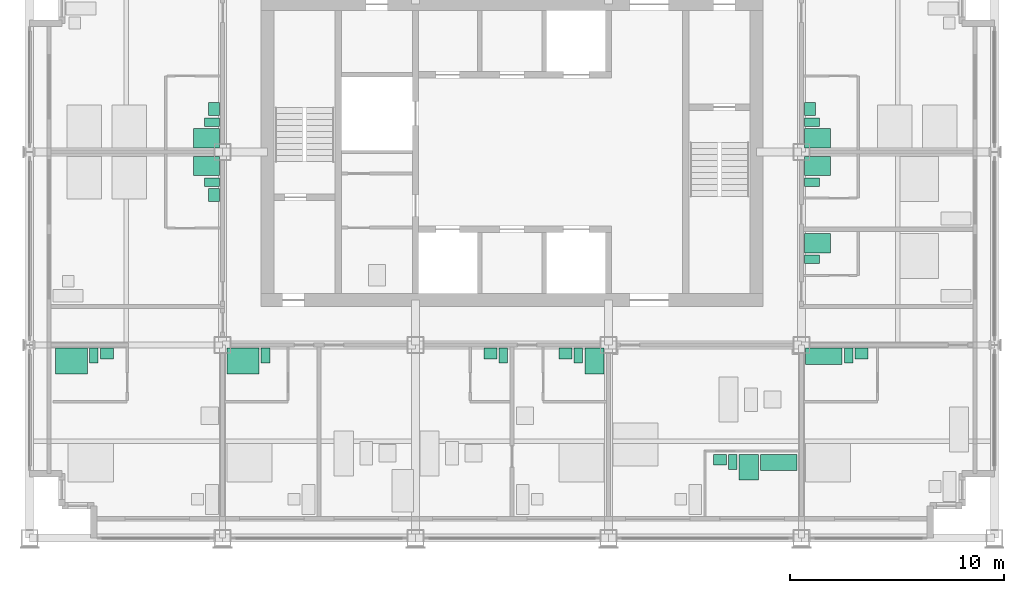
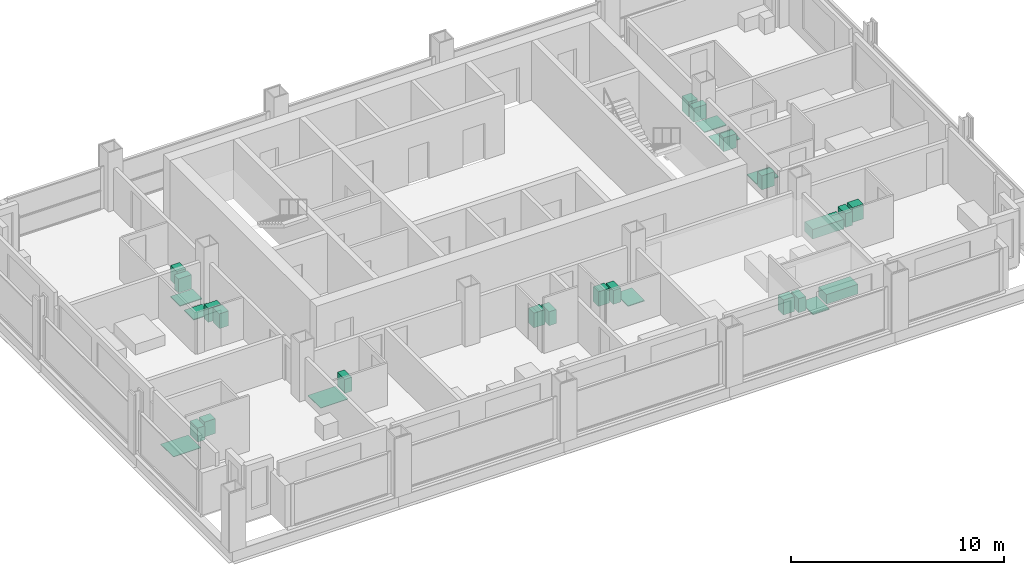
# One storey, part 12 of 13: 30 sanitary terminals.
"""IFC4 building model written with IfcOpenShell, lengths in metres."""

from ifc_helpers import new_model, si_unit, direction, frame, origin, origin_2d, place, context, subcontext, project, spatial, rectangle, extrude, element, save


model = new_model("IFC4")

# Units and contexts
model_context = context("Model", 3, precision=1e-05, world=origin(), true_north=direction((0.0, 1.0)))
body_context = subcontext(model_context, "Body", "Model", "MODEL_VIEW")
ifc_project = project(units=[si_unit("LENGTHUNIT", "METRE"), si_unit("AREAUNIT", "SQUARE_METRE"), si_unit("VOLUMEUNIT", "CUBIC_METRE"), si_unit("PLANEANGLEUNIT", "RADIAN"), si_unit("MASSUNIT", "GRAM", prefix="KILO")], contexts=[model_context])

# Site, building, storey
site_placement = place(None, origin())
site = spatial("IfcSite", under=ifc_project, at=site_placement, CompositionType="ELEMENT")
building_placement = place(site_placement, origin())
building = spatial("IfcBuilding", under=site, at=building_placement, Name="Loomwork Tower", CompositionType="ELEMENT")
storey_placement = place(building_placement, frame((0.0, 0.0, 197.800048828125)))
storey = spatial("IfcBuildingStorey", under=building, at=storey_placement, Name="L54", CompositionType="ELEMENT", Elevation=197.800048828125)

# Sanitary terminals
sanitary_terminal_1_placement = place(storey_placement, frame((1.949951171875, 8.25, 0.0), z_axis=(0.0, 0.0, 1.0), x_axis=(1.0, 0.0, 0.0)))
element("IfcSanitaryTerminal", 1, at=sanitary_terminal_1_placement, inside=storey, Name="Roll-in shower floor L54", PredefinedType="SHOWER", context=body_context, shape_type="SweptSolid", body=[
    extrude(rectangle(XDim=1.5, YDim=1.199951171875, at=origin_2d()), origin(), (0.0, 0.0, 1.0), 0.030029296875),
])
sanitary_terminal_2_placement = place(storey_placement, frame((3.0, 8.5, 0.0), z_axis=(0.0, 0.0, 1.0), x_axis=(1.0, 0.0, 0.0)))
element("IfcSanitaryTerminal", 2, at=sanitary_terminal_2_placement, inside=storey, Name="WC L54", PredefinedType="TOILETPAN", context=body_context, shape_type="SweptSolid", body=[
    extrude(rectangle(XDim=0.39990234375, YDim=0.699951171875, at=origin_2d()), origin(), (0.0, 0.0, 1.0), 0.800048828125),
])
sanitary_terminal_3_placement = place(storey_placement, frame((3.60009765625, 8.60009765625, 0.0), z_axis=(0.0, 0.0, 1.0), x_axis=(1.0, 0.0, 0.0)))
element("IfcSanitaryTerminal", 3, at=sanitary_terminal_3_placement, inside=storey, Name="Basin vanity L54", PredefinedType="WASHHANDBASIN", context=body_context, shape_type="SweptSolid", body=[
    extrude(rectangle(XDim=0.60009765625, YDim=0.5, at=origin_2d()), origin(), (0.0, 0.0, 1.0), 0.85009765625),
])
sanitary_terminal_4_placement = place(storey_placement, frame((9.949951171875, 8.25, 0.0), z_axis=(0.0, 0.0, 1.0), x_axis=(1.0, 0.0, 0.0)))
element("IfcSanitaryTerminal", 4, at=sanitary_terminal_4_placement, inside=storey, Name="Roll-in shower floor L54", PredefinedType="SHOWER", context=body_context, shape_type="SweptSolid", body=[
    extrude(rectangle(XDim=1.5, YDim=1.199951171875, at=origin_2d()), origin(), (0.0, 0.0, 1.0), 0.030029296875),
])
for number, where, z_axis, x_axis, name in (
    (5, (11.0, 8.5, 0.0), (0.0, 0.0, 1.0), (1.0, 0.0, 0.0), "WC L54"),
    (6, (22.10009765625, 8.5, 0.0), (0.0, 0.0, 1.0), (1.0, 0.0, 0.0), "WC L54"),
):
    element("IfcSanitaryTerminal", number, at=place(storey_placement, frame(where, z_axis=z_axis, x_axis=x_axis)), inside=storey, Name=name, PredefinedType="TOILETPAN", context=body_context, shape_type="SweptSolid", body=[
        extrude(rectangle(XDim=0.39990234375, YDim=0.699951171875, at=origin_2d()), origin(), (0.0, 0.0, 1.0), 0.800048828125),
    ])
sanitary_terminal_5_placement = place(storey_placement, frame((21.5, 8.60009765625, 0.0), z_axis=(0.0, 0.0, 1.0), x_axis=(1.0, 0.0, 0.0)))
element("IfcSanitaryTerminal", 7, at=sanitary_terminal_5_placement, inside=storey, Name="Basin vanity L54", PredefinedType="WASHHANDBASIN", context=body_context, shape_type="SweptSolid", body=[
    extrude(rectangle(XDim=0.60009765625, YDim=0.5, at=origin_2d()), origin(), (0.0, 0.0, 1.0), 0.85009765625),
])
sanitary_terminal_6_placement = place(storey_placement, frame((26.35009765625, 8.25, 0.0), z_axis=(0.0, 0.0, 1.0), x_axis=(1.0, 0.0, 0.0)))
element("IfcSanitaryTerminal", 8, at=sanitary_terminal_6_placement, inside=storey, Name="Shower tray L54", PredefinedType="SHOWER", context=body_context, shape_type="SweptSolid", body=[
    extrude(rectangle(XDim=0.89990234375, YDim=1.199951171875, at=origin_2d()), origin(), (0.0, 0.0, 1.0), 0.050048828125),
])
sanitary_terminal_7_placement = place(storey_placement, frame((25.60009765625, 8.5, 0.0), z_axis=(0.0, 0.0, 1.0), x_axis=(1.0, 0.0, 0.0)))
element("IfcSanitaryTerminal", 9, at=sanitary_terminal_7_placement, inside=storey, Name="WC L54", PredefinedType="TOILETPAN", context=body_context, shape_type="SweptSolid", body=[
    extrude(rectangle(XDim=0.39990234375, YDim=0.699951171875, at=origin_2d()), origin(), (0.0, 0.0, 1.0), 0.800048828125),
])
sanitary_terminal_8_placement = place(storey_placement, frame((25.0, 8.60009765625, 0.0), z_axis=(0.0, 0.0, 1.0), x_axis=(1.0, 0.0, 0.0)))
element("IfcSanitaryTerminal", 10, at=sanitary_terminal_8_placement, inside=storey, Name="Basin vanity L54", PredefinedType="WASHHANDBASIN", context=body_context, shape_type="SweptSolid", body=[
    extrude(rectangle(XDim=0.60009765625, YDim=0.5, at=origin_2d()), origin(), (0.0, 0.0, 1.0), 0.85009765625),
])
sanitary_terminal_9_placement = place(storey_placement, frame((34.949951171875, 3.52490234375, 0.0), z_axis=(0.0, 0.0, 1.0), x_axis=(1.0, 0.0, 0.0)))
element("IfcSanitaryTerminal", 11, at=sanitary_terminal_9_placement, inside=storey, Name="Bath L54", PredefinedType="BATH", context=body_context, shape_type="SweptSolid", body=[
    extrude(rectangle(XDim=1.699951171875, YDim=0.75, at=origin_2d()), origin(), (0.0, 0.0, 1.0), 0.550048828125),
])
sanitary_terminal_10_placement = place(storey_placement, frame((33.550048828125, 3.300048828125, 0.0), z_axis=(0.0, 0.0, 1.0), x_axis=(1.0, 0.0, 0.0)))
element("IfcSanitaryTerminal", 12, at=sanitary_terminal_10_placement, inside=storey, Name="Shower tray L54", PredefinedType="SHOWER", context=body_context, shape_type="SweptSolid", body=[
    extrude(rectangle(XDim=0.89990234375, YDim=1.199951171875, at=origin_2d()), origin(), (0.0, 0.0, 1.0), 0.050048828125),
])
sanitary_terminal_11_placement = place(storey_placement, frame((32.800048828125, 3.550048828125, 0.0), z_axis=(0.0, 0.0, 1.0), x_axis=(1.0, 0.0, 0.0)))
element("IfcSanitaryTerminal", 13, at=sanitary_terminal_11_placement, inside=storey, Name="WC L54", PredefinedType="TOILETPAN", context=body_context, shape_type="SweptSolid", body=[
    extrude(rectangle(XDim=0.39990234375, YDim=0.699951171875, at=origin_2d()), origin(), (0.0, 0.0, 1.0), 0.800048828125),
])
sanitary_terminal_12_placement = place(storey_placement, frame((32.199951171875, 3.64990234375, 0.0), z_axis=(0.0, 0.0, 1.0), x_axis=(1.0, 0.0, 0.0)))
element("IfcSanitaryTerminal", 14, at=sanitary_terminal_12_placement, inside=storey, Name="Basin vanity L54", PredefinedType="WASHHANDBASIN", context=body_context, shape_type="SweptSolid", body=[
    extrude(rectangle(XDim=0.60009765625, YDim=0.5, at=origin_2d()), origin(), (0.0, 0.0, 1.0), 0.85009765625),
])
sanitary_terminal_13_placement = place(storey_placement, frame((37.050048828125, 8.47509765625, 0.0), z_axis=(0.0, 0.0, 1.0), x_axis=(1.0, 0.0, 0.0)))
element("IfcSanitaryTerminal", 15, at=sanitary_terminal_13_placement, inside=storey, Name="Bath L54", PredefinedType="BATH", context=body_context, shape_type="SweptSolid", body=[
    extrude(rectangle(XDim=1.699951171875, YDim=0.75, at=origin_2d()), origin(), (0.0, 0.0, 1.0), 0.550048828125),
])
sanitary_terminal_14_placement = place(storey_placement, frame((38.199951171875, 8.5, 0.0), z_axis=(0.0, 0.0, 1.0), x_axis=(1.0, 0.0, 0.0)))
element("IfcSanitaryTerminal", 16, at=sanitary_terminal_14_placement, inside=storey, Name="WC L54", PredefinedType="TOILETPAN", context=body_context, shape_type="SweptSolid", body=[
    extrude(rectangle(XDim=0.39990234375, YDim=0.699951171875, at=origin_2d()), origin(), (0.0, 0.0, 1.0), 0.800048828125),
])
sanitary_terminal_15_placement = place(storey_placement, frame((38.800048828125, 8.60009765625, 0.0), z_axis=(0.0, 0.0, 1.0), x_axis=(1.0, 0.0, 0.0)))
element("IfcSanitaryTerminal", 17, at=sanitary_terminal_15_placement, inside=storey, Name="Basin vanity L54", PredefinedType="WASHHANDBASIN", context=body_context, shape_type="SweptSolid", body=[
    extrude(rectangle(XDim=0.60009765625, YDim=0.5, at=origin_2d()), origin(), (0.0, 0.0, 1.0), 0.85009765625),
])
sanitary_terminal_16_placement = place(storey_placement, frame((8.25, 17.35009765625, 0.0), z_axis=(0.0, 0.0, 1.0), x_axis=(1.0, 0.0, 0.0)))
element("IfcSanitaryTerminal", 18, at=sanitary_terminal_16_placement, inside=storey, Name="Shower tray L54", PredefinedType="SHOWER", context=body_context, shape_type="SweptSolid", body=[
    extrude(rectangle(XDim=1.199951171875, YDim=0.89990234375, at=origin_2d()), origin(), (0.0, 0.0, 1.0), 0.050048828125),
])
sanitary_terminal_17_placement = place(storey_placement, frame((8.5, 16.60009765625, 0.0), z_axis=(0.0, 0.0, 1.0), x_axis=(1.0, 0.0, 0.0)))
element("IfcSanitaryTerminal", 19, at=sanitary_terminal_17_placement, inside=storey, Name="WC L54", PredefinedType="TOILETPAN", context=body_context, shape_type="SweptSolid", body=[
    extrude(rectangle(XDim=0.699951171875, YDim=0.39990234375, at=origin_2d()), origin(), (0.0, 0.0, 1.0), 0.800048828125),
])
sanitary_terminal_18_placement = place(storey_placement, frame((8.60009765625, 16.0, 0.0), z_axis=(0.0, 0.0, 1.0), x_axis=(1.0, 0.0, 0.0)))
element("IfcSanitaryTerminal", 20, at=sanitary_terminal_18_placement, inside=storey, Name="Basin vanity L54", PredefinedType="WASHHANDBASIN", context=body_context, shape_type="SweptSolid", body=[
    extrude(rectangle(XDim=0.5, YDim=0.60009765625, at=origin_2d()), origin(), (0.0, 0.0, 1.0), 0.85009765625),
])
sanitary_terminal_19_placement = place(storey_placement, frame((8.25, 18.64990234375, 0.0), z_axis=(0.0, 0.0, 1.0), x_axis=(1.0, 0.0, 0.0)))
element("IfcSanitaryTerminal", 21, at=sanitary_terminal_19_placement, inside=storey, Name="Shower tray L54", PredefinedType="SHOWER", context=body_context, shape_type="SweptSolid", body=[
    extrude(rectangle(XDim=1.199951171875, YDim=0.89990234375, at=origin_2d()), origin(), (0.0, 0.0, 1.0), 0.050048828125),
])
sanitary_terminal_20_placement = place(storey_placement, frame((8.5, 19.39990234375, 0.0), z_axis=(0.0, 0.0, 1.0), x_axis=(1.0, 0.0, 0.0)))
element("IfcSanitaryTerminal", 22, at=sanitary_terminal_20_placement, inside=storey, Name="WC L54", PredefinedType="TOILETPAN", context=body_context, shape_type="SweptSolid", body=[
    extrude(rectangle(XDim=0.699951171875, YDim=0.39990234375, at=origin_2d()), origin(), (0.0, 0.0, 1.0), 0.800048828125),
])
sanitary_terminal_21_placement = place(storey_placement, frame((8.60009765625, 20.0, 0.0), z_axis=(0.0, 0.0, 1.0), x_axis=(1.0, 0.0, 0.0)))
element("IfcSanitaryTerminal", 23, at=sanitary_terminal_21_placement, inside=storey, Name="Basin vanity L54", PredefinedType="WASHHANDBASIN", context=body_context, shape_type="SweptSolid", body=[
    extrude(rectangle(XDim=0.5, YDim=0.60009765625, at=origin_2d()), origin(), (0.0, 0.0, 1.0), 0.85009765625),
])
sanitary_terminal_22_placement = place(storey_placement, frame((36.75, 13.75, 0.0), z_axis=(0.0, 0.0, 1.0), x_axis=(1.0, 0.0, 0.0)))
element("IfcSanitaryTerminal", 24, at=sanitary_terminal_22_placement, inside=storey, Name="Shower tray L54", PredefinedType="SHOWER", context=body_context, shape_type="SweptSolid", body=[
    extrude(rectangle(XDim=1.199951171875, YDim=0.89990234375, at=origin_2d()), origin(), (0.0, 0.0, 1.0), 0.050048828125),
])
sanitary_terminal_23_placement = place(storey_placement, frame((36.5, 13.0, 0.0), z_axis=(0.0, 0.0, 1.0), x_axis=(1.0, 0.0, 0.0)))
element("IfcSanitaryTerminal", 25, at=sanitary_terminal_23_placement, inside=storey, Name="WC L54", PredefinedType="TOILETPAN", context=body_context, shape_type="SweptSolid", body=[
    extrude(rectangle(XDim=0.699951171875, YDim=0.39990234375, at=origin_2d()), origin(), (0.0, 0.0, 1.0), 0.800048828125),
])
sanitary_terminal_24_placement = place(storey_placement, frame((36.75, 17.35009765625, 0.0), z_axis=(0.0, 0.0, 1.0), x_axis=(1.0, 0.0, 0.0)))
element("IfcSanitaryTerminal", 26, at=sanitary_terminal_24_placement, inside=storey, Name="Shower tray L54", PredefinedType="SHOWER", context=body_context, shape_type="SweptSolid", body=[
    extrude(rectangle(XDim=1.199951171875, YDim=0.89990234375, at=origin_2d()), origin(), (0.0, 0.0, 1.0), 0.050048828125),
])
sanitary_terminal_25_placement = place(storey_placement, frame((36.5, 16.60009765625, 0.0), z_axis=(0.0, 0.0, 1.0), x_axis=(1.0, 0.0, 0.0)))
element("IfcSanitaryTerminal", 27, at=sanitary_terminal_25_placement, inside=storey, Name="WC L54", PredefinedType="TOILETPAN", context=body_context, shape_type="SweptSolid", body=[
    extrude(rectangle(XDim=0.699951171875, YDim=0.39990234375, at=origin_2d()), origin(), (0.0, 0.0, 1.0), 0.800048828125),
])
sanitary_terminal_26_placement = place(storey_placement, frame((36.75, 18.64990234375, 0.0), z_axis=(0.0, 0.0, 1.0), x_axis=(1.0, 0.0, 0.0)))
element("IfcSanitaryTerminal", 28, at=sanitary_terminal_26_placement, inside=storey, Name="Shower tray L54", PredefinedType="SHOWER", context=body_context, shape_type="SweptSolid", body=[
    extrude(rectangle(XDim=1.199951171875, YDim=0.89990234375, at=origin_2d()), origin(), (0.0, 0.0, 1.0), 0.050048828125),
])
sanitary_terminal_27_placement = place(storey_placement, frame((36.5, 19.39990234375, 0.0), z_axis=(0.0, 0.0, 1.0), x_axis=(1.0, 0.0, 0.0)))
element("IfcSanitaryTerminal", 29, at=sanitary_terminal_27_placement, inside=storey, Name="WC L54", PredefinedType="TOILETPAN", context=body_context, shape_type="SweptSolid", body=[
    extrude(rectangle(XDim=0.699951171875, YDim=0.39990234375, at=origin_2d()), origin(), (0.0, 0.0, 1.0), 0.800048828125),
])
sanitary_terminal_28_placement = place(storey_placement, frame((36.39990234375, 20.0, 0.0), z_axis=(0.0, 0.0, 1.0), x_axis=(1.0, 0.0, 0.0)))
element("IfcSanitaryTerminal", 30, at=sanitary_terminal_28_placement, inside=storey, Name="Basin vanity L54", PredefinedType="WASHHANDBASIN", context=body_context, shape_type="SweptSolid", body=[
    extrude(rectangle(XDim=0.5, YDim=0.60009765625, at=origin_2d()), origin(), (0.0, 0.0, 1.0), 0.85009765625),
])

save(model, "model.ifc")
